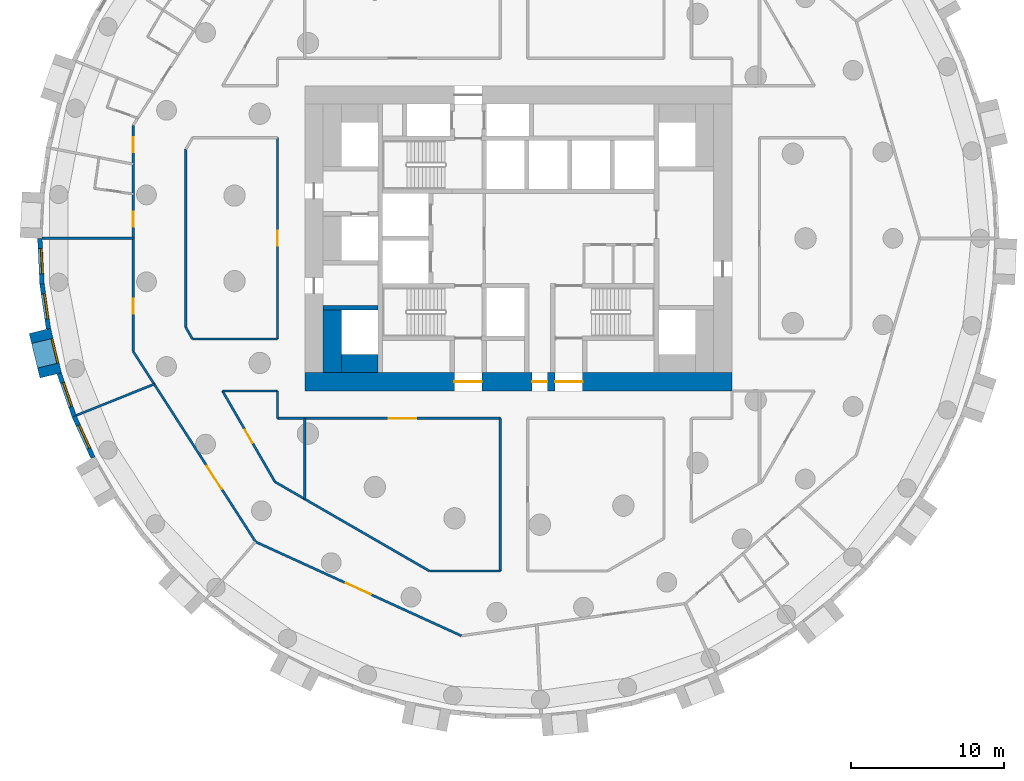
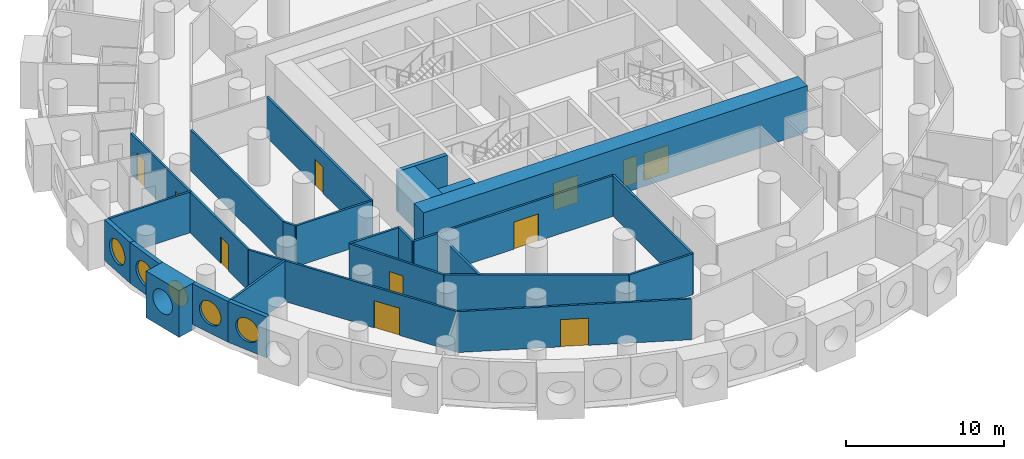
# One storey, part 3 of 11: 26 walls, 11 doors, 5 windows, 16 openings.
"""IFC4 building model written with IfcOpenShell, lengths in metres."""

from ifc_helpers import new_model, si_unit, direction, frame, frame_2d, origin, origin_2d, place, context, subcontext, project, spatial, rectangle, circle, extrude, material, layer, layer_set, type_object, element, fill, save


model = new_model("IFC4")

# Units and contexts
model_context = context("Model", 3, precision=1e-05, world=origin(), true_north=direction((0.0, 1.0)))
body_context = subcontext(model_context, "Body", "Model", "MODEL_VIEW")
ifc_project = project(units=[si_unit("LENGTHUNIT", "METRE"), si_unit("AREAUNIT", "SQUARE_METRE"), si_unit("VOLUMEUNIT", "CUBIC_METRE"), si_unit("PLANEANGLEUNIT", "RADIAN"), si_unit("MASSUNIT", "GRAM", prefix="KILO")], contexts=[model_context])

# Site, building, storey
site_placement = place(None, origin())
site = spatial("IfcSite", under=ifc_project, at=site_placement, CompositionType="ELEMENT")
building_placement = place(site_placement, origin())
building = spatial("IfcBuilding", under=site, at=building_placement, Name="Tracery Tower", CompositionType="ELEMENT")
storey_placement = place(building_placement, frame((0.0, 0.0, 67.800048828125)))
storey = spatial("IfcBuildingStorey", under=building, at=storey_placement, Name="L16", CompositionType="ELEMENT", Elevation=67.800048828125)

# Walls
ifc_material_1 = material(Name="Concrete C60/75", Category="concrete")
ifc_layer_1 = layer(ifc_material_1, 1.199951171875)
ifc_layer_set_1 = layer_set([ifc_layer_1], Name="Core strip wall 1200 C60")
wall_type_1 = type_object("IfcWallType", Name="Core strip wall 1200 C60", PredefinedType="SOLIDWALL", material=ifc_layer_set_1)
wall_1_placement = place(storey_placement, frame((-12.199951171875, -8.800048828125, 0.0), z_axis=(0.0, 0.0, 1.0), x_axis=(0.0, 1.0, 0.0)))
element("IfcWall", 1, at=wall_1_placement, inside=storey, type_object=wall_type_1, Name="L16 wing strip -1 -9.4", PredefinedType="SOLIDWALL", context=body_context, shape_type="SweptSolid", body=[
    extrude(rectangle(XDim=4.10009765625, YDim=1.199951171875, at=frame_2d((2.050048828125, 0.0))), origin(), (0.0, 0.0, 1.0), 3.14990234375),
])
wall_2_placement = place(storey_placement, frame((-11.60009765625, -8.199951171875, 0.0), z_axis=(0.0, 0.0, 1.0), x_axis=(1.0, 0.0, 0.0)))
element("IfcWall", 2, at=wall_2_placement, inside=storey, type_object=wall_type_1, Name="L16 wing corner -1 -8.2", PredefinedType="SOLIDWALL", context=body_context, shape_type="SweptSolid", body=[
    extrude(rectangle(XDim=2.400146484375, YDim=1.199951171875, at=frame_2d((1.2001953125, 0.0))), origin(), (0.0, 0.0, 1.0), 3.14990234375),
])

# Wall, openings, doors
ifc_material_2 = material(Name="Concrete C60/75", Category="concrete")
ifc_layer_2 = layer(ifc_material_2, 1.199951171875)
ifc_layer_set_2 = layer_set([ifc_layer_2], Name="Core wall 1200 C60")
wall_type_2 = type_object("IfcWallType", Name="Core wall 1200 C60", PredefinedType="SOLIDWALL", material=ifc_layer_set_2)
wall_3_placement = place(storey_placement, frame((-14.0, -9.39990234375, 0.0), z_axis=(0.0, 0.0, 1.0), x_axis=(1.0, 0.0, 0.0)))
wall_3 = element("IfcWall", 3, at=wall_3_placement, inside=storey, type_object=wall_type_2, Name="L16 outer S", PredefinedType="SOLIDWALL", context=body_context, shape_type="SweptSolid", body=[
    extrude(rectangle(XDim=28.0, YDim=1.199951171875, at=frame_2d((14.0, 0.0))), origin(), (0.0, 0.0, 1.0), 3.599853515625),
])
opening_1_placement = place(wall_3_placement, frame((14.89990234375, 0.0, 0.0)))
opening_1 = element("IfcOpeningElement", 4, at=opening_1_placement, cuts=wall_3, Name="Opening KD16", PredefinedType="OPENING", context=body_context, shape_type="SweptSolid", body=[
    extrude(rectangle(XDim=1.0, YDim=2.10009765625, at=frame_2d((0.5, 1.050048828125))), frame((0.0, 0.60009765625, 0.0), z_axis=(0.0, -1.0, 0.0), x_axis=(1.0, 0.0, 0.0)), (0.0, 0.0, 1.0), 1.199951171875),
])
opening_2_placement = place(wall_3_placement, frame((9.800048828125, 0.0, 0.0)))
opening_2 = element("IfcOpeningElement", 5, at=opening_2_placement, cuts=wall_3, Name="Opening KD13", PredefinedType="OPENING", context=body_context, shape_type="SweptSolid", body=[
    extrude(rectangle(XDim=1.800048828125, YDim=2.10009765625, at=frame_2d((0.89990234375, 1.050048828125))), frame((0.0, 0.60009765625, 0.0), z_axis=(0.0, -1.0, 0.0), x_axis=(1.0, 0.0, 0.0)), (0.0, 0.0, 1.0), 1.199951171875),
])
opening_3_placement = place(wall_3_placement, frame((16.39990234375, 0.0, 0.0)))
opening_3 = element("IfcOpeningElement", 6, at=opening_3_placement, cuts=wall_3, Name="Opening KD13", PredefinedType="OPENING", context=body_context, shape_type="SweptSolid", body=[
    extrude(rectangle(XDim=1.800048828125, YDim=2.10009765625, at=frame_2d((0.89990234375, 1.050048828125))), frame((0.0, 0.60009765625, 0.0), z_axis=(0.0, -1.0, 0.0), x_axis=(1.0, 0.0, 0.0)), (0.0, 0.0, 1.0), 1.199951171875),
])
ifc_material_3 = material(Name="Steel fire door", Category="steel")
door_type_1 = type_object("IfcDoorType", Name="Core exit door 1000", OperationType="NOTDEFINED", PredefinedType="DOOR", material=ifc_material_3)
door_1_placement = place(opening_1_placement, origin())
door_1 = element("IfcDoor", 7, at=door_1_placement, inside=storey, type_object=door_type_1, Name="Core exit door", OperationType="SINGLE_SWING_LEFT", OverallHeight=2.10009765625, OverallWidth=1.0, PredefinedType="DOOR", context=body_context, shape_type="SweptSolid", body=[
    extrude(rectangle(XDim=1.0, YDim=2.10009765625, at=frame_2d((0.5, 1.050048828125))), frame((0.0, 0.02490234375, 0.0), z_axis=(0.0, -1.0, 0.0), x_axis=(1.0, 0.0, 0.0)), (0.0, 0.0, 1.0), 0.050048828125),
])
fill(opening_1, door_1)
ifc_material_4 = material(Name="Steel fire door", Category="steel")
door_type_2 = type_object("IfcDoorType", Name="Core exit door 1800 double", OperationType="NOTDEFINED", PredefinedType="DOOR", material=ifc_material_4)
door_2_placement = place(opening_2_placement, origin())
door_2 = element("IfcDoor", 8, at=door_2_placement, inside=storey, type_object=door_type_2, Name="Core exit door", OperationType="DOUBLE_DOOR_SINGLE_SWING", OverallHeight=2.10009765625, OverallWidth=1.800048828125, PredefinedType="DOOR", context=body_context, shape_type="SweptSolid", body=[
    extrude(rectangle(XDim=1.800048828125, YDim=2.10009765625, at=frame_2d((0.89990234375, 1.050048828125))), frame((0.0, 0.02490234375, 0.0), z_axis=(0.0, -1.0, 0.0), x_axis=(1.0, 0.0, 0.0)), (0.0, 0.0, 1.0), 0.050048828125),
])
fill(opening_2, door_2)
door_3_placement = place(opening_3_placement, origin())
door_3 = element("IfcDoor", 9, at=door_3_placement, inside=storey, type_object=door_type_2, Name="Core exit door", OperationType="DOUBLE_DOOR_SINGLE_SWING", OverallHeight=2.10009765625, OverallWidth=1.800048828125, PredefinedType="DOOR", context=body_context, shape_type="SweptSolid", body=[
    extrude(rectangle(XDim=1.800048828125, YDim=2.10009765625, at=frame_2d((0.89990234375, 1.050048828125))), frame((0.0, 0.02490234375, 0.0), z_axis=(0.0, -1.0, 0.0), x_axis=(1.0, 0.0, 0.0)), (0.0, 0.0, 1.0), 0.050048828125),
])
fill(opening_3, door_3)

# Wall, opening, window
ifc_material_5 = material(Name="Precast concrete C50/60", Category="concrete")
ifc_layer_3 = layer(ifc_material_5, 1.449951171875)
ifc_layer_set_3 = layer_set([ifc_layer_3], Name="Deep-set bay unit 3000 x 3600, slab edge 450")
wall_type_3 = type_object("IfcWallType", Name="Deep-set bay unit 3000 x 3600, slab edge 450", PredefinedType="ELEMENTEDWALL", material=ifc_layer_set_3)
wall_4_placement = place(storey_placement, frame((-31.367919921875, -6.066162109375, -0.449951171875), z_axis=(0.0, 0.0, 1.0), x_axis=(0.235751415068, -0.971813392732, 0.0)))
wall_4 = element("IfcWall", 10, at=wall_4_placement, inside=storey, type_object=wall_type_3, Name="Deep-set bay unit 36 at L16", PredefinedType="ELEMENTEDWALL", context=body_context, shape_type="SweptSolid", body=[
    extrude(rectangle(XDim=3.0, YDim=1.449951171875, at=frame_2d((1.5, 0.0))), origin(), (0.0, 0.0, 1.0), 3.599853515625),
])
opening_4_placement = place(wall_4_placement, frame((1.5, 0.0, 2.0)))
opening_4 = element("IfcOpeningElement", 11, at=opening_4_placement, cuts=wall_4, Name="Opening WN1", PredefinedType="OPENING", context=body_context, shape_type="SweptSolid", body=[
    extrude(circle(Radius=0.9000244140625, at=origin_2d()), frame((0.0, 0.73486328125, 0.0), z_axis=(0.0, -1.0, 0.0), x_axis=(1.0, 0.0, 0.0)), (0.0, 0.0, 1.0), 1.469970703125),
])
ifc_material_6 = material(Name="Aluminium frame with tinted double glazing", Category="aluminium")
window_type = type_object("IfcWindowType", Name="Round window 1800", PartitioningType="SINGLE_PANEL", PredefinedType="WINDOW", material=ifc_material_6)
window_1_placement = place(opening_4_placement, origin())
window_1 = element("IfcWindow", 12, at=window_1_placement, inside=storey, type_object=window_type, Name="Round window 36 at L16", OverallHeight=1.800048828125, OverallWidth=1.800048828125, PartitioningType="SINGLE_PANEL", PredefinedType="WINDOW", context=body_context, shape_type="SweptSolid", body=[
    extrude(circle(Radius=0.9000244140625, at=origin_2d()), frame((0.0, 0.69482421875, 0.0), z_axis=(0.0, -1.0, 0.0), x_axis=(1.0, 0.0, 0.0)), (0.0, 0.0, 1.0), 0.10009765625),
])
fill(opening_4, window_1)

ifc_material_7 = material(Name="Precast concrete C50/60", Category="concrete")
ifc_layer_4 = layer(ifc_material_7, 0.300048828125)
ifc_layer_set_4 = layer_set([ifc_layer_4], Name="Facade panel 3000 x 3150")
wall_type_4 = type_object("IfcWallType", Name="Facade panel 3000 x 3150", PredefinedType="SOLIDWALL", material=ifc_layer_set_4)
wall_5_placement = place(storey_placement, frame((-31.3740234375, -0.006103515625, 0.0), z_axis=(0.0, 0.0, 1.0), x_axis=(0.047522328113, -0.998870175914, 0.0)))
wall_5 = element("IfcWall", 13, at=wall_5_placement, inside=storey, type_object=wall_type_4, Name="Facade panel 34 at L16", PredefinedType="SOLIDWALL", context=body_context, shape_type="SweptSolid", body=[
    extrude(rectangle(XDim=2.979736328125, YDim=0.300048828125, at=frame_2d((1.48974609375, 0.0))), origin(), (0.0, 0.0, 1.0), 3.14990234375),
])
opening_5_placement = place(wall_5_placement, frame((1.48974609375, 0.0, 1.5498046875)))
opening_5 = element("IfcOpeningElement", 14, at=opening_5_placement, cuts=wall_5, Name="Opening WN1", PredefinedType="OPENING", context=body_context, shape_type="SweptSolid", body=[
    extrude(circle(Radius=0.9000244140625, at=origin_2d()), frame((0.0, 0.159912109375, 0.0), z_axis=(0.0, -1.0, 0.0), x_axis=(1.0, 0.0, 0.0)), (0.0, 0.0, 1.0), 0.320068359375),
])
window_2_placement = place(opening_5_placement, origin())
window_2 = element("IfcWindow", 15, at=window_2_placement, inside=storey, type_object=window_type, Name="Round window 34 at L16", OverallHeight=1.800048828125, OverallWidth=1.800048828125, PartitioningType="SINGLE_PANEL", PredefinedType="WINDOW", context=body_context, shape_type="SweptSolid", body=[
    extrude(circle(Radius=0.9000244140625, at=origin_2d()), frame((0.0, 0.1201171875, 0.0), z_axis=(0.0, -1.0, 0.0), x_axis=(1.0, 0.0, 0.0)), (0.0, 0.0, 1.0), 0.10009765625),
])
fill(opening_5, window_2)

wall_6_placement = place(storey_placement, frame((-31.232421875, -2.982421875, 0.0), z_axis=(0.0, 0.0, 1.0), x_axis=(0.142327539111, -0.989819615693, 0.0)))
wall_6 = element("IfcWall", 16, at=wall_6_placement, inside=storey, type_object=wall_type_4, Name="Facade panel 35 at L16", PredefinedType="SOLIDWALL", context=body_context, shape_type="SweptSolid", body=[
    extrude(rectangle(XDim=2.9794921875, YDim=0.300048828125, at=frame_2d((1.48974609375, 0.0))), origin(), (0.0, 0.0, 1.0), 3.14990234375),
])
opening_6_placement = place(wall_6_placement, frame((1.48974609375, 0.0, 1.5498046875)))
opening_6 = element("IfcOpeningElement", 17, at=opening_6_placement, cuts=wall_6, Name="Opening WN1", PredefinedType="OPENING", context=body_context, shape_type="SweptSolid", body=[
    extrude(circle(Radius=0.9000244140625, at=origin_2d()), frame((0.0, 0.159912109375, 0.0), z_axis=(0.0, -1.0, 0.0), x_axis=(1.0, 0.0, 0.0)), (0.0, 0.0, 1.0), 0.320068359375),
])
window_3_placement = place(opening_6_placement, origin())
window_3 = element("IfcWindow", 18, at=window_3_placement, inside=storey, type_object=window_type, Name="Round window 35 at L16", OverallHeight=1.800048828125, OverallWidth=1.800048828125, PartitioningType="SINGLE_PANEL", PredefinedType="WINDOW", context=body_context, shape_type="SweptSolid", body=[
    extrude(circle(Radius=0.9000244140625, at=origin_2d()), frame((0.0, 0.1201171875, 0.0), z_axis=(0.0, -1.0, 0.0), x_axis=(1.0, 0.0, 0.0)), (0.0, 0.0, 1.0), 0.10009765625),
])
fill(opening_6, window_3)

wall_7_placement = place(storey_placement, frame((-30.1015625, -8.844970703125, 0.0), z_axis=(0.0, 0.0, 1.0), x_axis=(0.327096492592, -0.944990944154, 0.0)))
wall_7 = element("IfcWall", 19, at=wall_7_placement, inside=storey, type_object=wall_type_4, Name="Facade panel 37 at L16", PredefinedType="SOLIDWALL", context=body_context, shape_type="SweptSolid", body=[
    extrude(rectangle(XDim=2.9794921875, YDim=0.300048828125, at=frame_2d((1.48974609375, 0.0))), origin(), (0.0, 0.0, 1.0), 3.14990234375),
])
opening_7_placement = place(wall_7_placement, frame((1.48974609375, 0.0, 1.5498046875)))
opening_7 = element("IfcOpeningElement", 20, at=opening_7_placement, cuts=wall_7, Name="Opening WN1", PredefinedType="OPENING", context=body_context, shape_type="SweptSolid", body=[
    extrude(circle(Radius=0.9000244140625, at=origin_2d()), frame((0.0, 0.159912109375, 0.0), z_axis=(0.0, -1.0, 0.0), x_axis=(1.0, 0.0, 0.0)), (0.0, 0.0, 1.0), 0.320068359375),
])
window_4_placement = place(opening_7_placement, origin())
window_4 = element("IfcWindow", 21, at=window_4_placement, inside=storey, type_object=window_type, Name="Round window 37 at L16", OverallHeight=1.800048828125, OverallWidth=1.800048828125, PartitioningType="SINGLE_PANEL", PredefinedType="WINDOW", context=body_context, shape_type="SweptSolid", body=[
    extrude(circle(Radius=0.9000244140625, at=origin_2d()), frame((0.0, 0.1201171875, 0.0), z_axis=(0.0, -1.0, 0.0), x_axis=(1.0, 0.0, 0.0)), (0.0, 0.0, 1.0), 0.10009765625),
])
fill(opening_7, window_4)

wall_8_placement = place(storey_placement, frame((-29.126953125, -11.66064453125, 0.0), z_axis=(0.0, 0.0, 1.0), x_axis=(0.415407317162, -0.909635509888, 0.0)))
wall_8 = element("IfcWall", 22, at=wall_8_placement, inside=storey, type_object=wall_type_4, Name="Facade panel 38 at L16", PredefinedType="SOLIDWALL", context=body_context, shape_type="SweptSolid", body=[
    extrude(rectangle(XDim=2.979736328125, YDim=0.300048828125, at=frame_2d((1.48974609375, 0.0))), origin(), (0.0, 0.0, 1.0), 3.14990234375),
])
opening_8_placement = place(wall_8_placement, frame((1.48974609375, 0.0, 1.5498046875)))
opening_8 = element("IfcOpeningElement", 23, at=opening_8_placement, cuts=wall_8, Name="Opening WN1", PredefinedType="OPENING", context=body_context, shape_type="SweptSolid", body=[
    extrude(circle(Radius=0.9000244140625, at=origin_2d()), frame((0.0, 0.159912109375, 0.0), z_axis=(0.0, -1.0, 0.0), x_axis=(1.0, 0.0, 0.0)), (0.0, 0.0, 1.0), 0.320068359375),
])
window_5_placement = place(opening_8_placement, origin())
window_5 = element("IfcWindow", 24, at=window_5_placement, inside=storey, type_object=window_type, Name="Round window 38 at L16", OverallHeight=1.800048828125, OverallWidth=1.800048828125, PartitioningType="SINGLE_PANEL", PredefinedType="WINDOW", context=body_context, shape_type="SweptSolid", body=[
    extrude(circle(Radius=0.9000244140625, at=origin_2d()), frame((0.0, 0.1201171875, 0.0), z_axis=(0.0, -1.0, 0.0), x_axis=(1.0, 0.0, 0.0)), (0.0, 0.0, 1.0), 0.10009765625),
])
fill(opening_8, window_5)

# Walls
ifc_material_8 = material(Name="Plasterboard on steel studs", Category="steel")
ifc_layer_5 = layer(ifc_material_8, 0.14990234375)
ifc_layer_set_5 = layer_set([ifc_layer_5], Name="Partition 150 acoustic unit wall")
wall_type_5 = type_object("IfcWallType", Name="Partition 150 acoustic unit wall", PredefinedType="PARTITIONING", material=ifc_layer_set_5)
wall_9_placement = place(storey_placement, frame((-14.0, -17.092041015625, 0.0), z_axis=(0.0, 0.0, 1.0), x_axis=(0.0, 1.0, 0.0)))
element("IfcWall", 25, at=wall_9_placement, inside=storey, type_object=wall_type_5, Name="Unit wall RA4-063", PredefinedType="PARTITIONING", context=body_context, shape_type="SweptSolid", body=[
    extrude(rectangle(XDim=5.2919921875, YDim=0.14990234375, at=frame_2d((2.64599609375, 0.0))), origin(), (0.0, 0.0, 1.0), 3.14990234375),
])
wall_10_placement = place(storey_placement, frame((-31.22412109375, 0.0, 0.0), z_axis=(0.0, 0.0, 1.0), x_axis=(1.0, 0.0, 0.0)))
element("IfcWall", 26, at=wall_10_placement, inside=storey, type_object=wall_type_5, Name="Unit wall RA4-082", PredefinedType="PARTITIONING", context=body_context, shape_type="SweptSolid", body=[
    extrude(rectangle(XDim=5.97119140625, YDim=0.14990234375, at=frame_2d((2.985595703125, 0.0))), origin(), (0.0, 0.0, 1.0), 3.14990234375),
])
wall_11_placement = place(storey_placement, frame((-28.988037109375, -11.60498046875, 0.0), z_axis=(0.0, 0.0, 1.0), x_axis=(0.928372711727, 0.371650518795, 0.0)))
element("IfcWall", 27, at=wall_11_placement, inside=storey, type_object=wall_type_5, Name="Unit wall RA4-083", PredefinedType="PARTITIONING", context=body_context, shape_type="SweptSolid", body=[
    extrude(rectangle(XDim=5.507568359375, YDim=0.14990234375, at=frame_2d((2.75390625, 0.0))), origin(), (0.0, 0.0, 1.0), 3.14990234375),
])

# Wall, opening, door
ifc_material_9 = material(Name="Plasterboard on steel studs", Category="steel")
ifc_layer_6 = layer(ifc_material_9, 0.14990234375)
ifc_layer_set_6 = layer_set([ifc_layer_6], Name="Partition 150 corridor wall")
wall_type_6 = type_object("IfcWallType", Name="Partition 150 corridor wall", PredefinedType="PARTITIONING", material=ifc_layer_set_6)
wall_12_placement = place(storey_placement, frame((-15.800048828125, -11.800048828125, 0.0), z_axis=(0.0, 0.0, 1.0), x_axis=(1.0, 0.0, 0.0)))
wall_12 = element("IfcWall", 28, at=wall_12_placement, inside=storey, type_object=wall_type_6, Name="Corridor wall RA4-006", PredefinedType="PARTITIONING", context=body_context, shape_type="SweptSolid", body=[
    extrude(rectangle(XDim=14.612060546875, YDim=0.14990234375, at=frame_2d((7.30615234375, 0.0))), origin(), (0.0, 0.0, 1.0), 3.14990234375),
])
opening_9_placement = place(wall_12_placement, frame((7.303955078125, 0.0, 0.0)))
opening_9 = element("IfcOpeningElement", 29, at=opening_9_placement, cuts=wall_12, Name="Opening RA4-04", PredefinedType="OPENING", context=body_context, shape_type="SweptSolid", body=[
    extrude(rectangle(XDim=1.800048828125, YDim=2.10009765625, at=frame_2d((0.89990234375, 1.050048828125))), frame((0.0, 0.074951171875, 0.0), z_axis=(0.0, -1.0, 0.0), x_axis=(1.0, 0.0, 0.0)), (0.0, 0.0, 1.0), 0.14990234375),
])
ifc_material_10 = material(Name="Timber door leaf", Category="wood")
door_type_3 = type_object("IfcDoorType", Name="Door double lounge 1800", OperationType="NOTDEFINED", PredefinedType="DOOR", material=ifc_material_10)
door_4_placement = place(opening_9_placement, origin())
door_4 = element("IfcDoor", 30, at=door_4_placement, inside=storey, type_object=door_type_3, Name="Double lounge door RA4-04", OperationType="DOUBLE_DOOR_SINGLE_SWING", OverallHeight=2.10009765625, OverallWidth=1.800048828125, PredefinedType="DOOR", context=body_context, shape_type="SweptSolid", body=[
    extrude(rectangle(XDim=1.800048828125, YDim=2.10009765625, at=frame_2d((0.89990234375, 1.050048828125))), frame((0.0, 0.02490234375, 0.0), z_axis=(0.0, -1.0, 0.0), x_axis=(1.0, 0.0, 0.0)), (0.0, 0.0, 1.0), 0.050048828125),
])
fill(opening_9, door_4)

# Wall
wall_13_placement = place(storey_placement, frame((-15.800048828125, -11.800048828125, 0.0), z_axis=(0.0, 0.0, 1.0), x_axis=(0.0, 1.0, 0.0)))
element("IfcWall", 31, at=wall_13_placement, inside=storey, type_object=wall_type_6, Name="Corridor wall RA4-010", PredefinedType="PARTITIONING", context=body_context, shape_type="SweptSolid", body=[
    extrude(rectangle(XDim=1.800048828125, YDim=0.14990234375, at=frame_2d((0.89990234375, 0.0))), origin(), (0.0, 0.0, 1.0), 3.14990234375),
])

# Wall, opening, door
wall_14_placement = place(storey_placement, frame((-15.800048828125, -6.60400390625, 0.0), z_axis=(0.0, 0.0, 1.0), x_axis=(0.0, 1.0, 0.0)))
wall_14 = element("IfcWall", 32, at=wall_14_placement, inside=storey, type_object=wall_type_6, Name="Corridor wall RA4-014", PredefinedType="PARTITIONING", context=body_context, shape_type="SweptSolid", body=[
    extrude(rectangle(XDim=13.2080078125, YDim=0.14990234375, at=frame_2d((6.60400390625, 0.0))), origin(), (0.0, 0.0, 1.0), 3.14990234375),
])
opening_10_placement = place(wall_14_placement, frame((6.10400390625, 0.0, 0.0)))
opening_10 = element("IfcOpeningElement", 33, at=opening_10_placement, cuts=wall_14, Name="Opening RA4-08", PredefinedType="OPENING", context=body_context, shape_type="SweptSolid", body=[
    extrude(rectangle(XDim=1.0, YDim=2.0400390625, at=frame_2d((0.5, 1.02001953125))), frame((0.0, 0.074951171875, 0.0), z_axis=(0.0, -1.0, 0.0), x_axis=(1.0, 0.0, 0.0)), (0.0, 0.0, 1.0), 0.14990234375),
])
ifc_material_11 = material(Name="Timber door leaf", Category="wood")
door_type_4 = type_object("IfcDoorType", Name="Door communal room 1000", OperationType="NOTDEFINED", PredefinedType="DOOR", material=ifc_material_11)
door_5_placement = place(opening_10_placement, origin())
door_5 = element("IfcDoor", 34, at=door_5_placement, inside=storey, type_object=door_type_4, Name="Communal room door RA4-08", OperationType="SINGLE_SWING_RIGHT", OverallHeight=2.0400390625, OverallWidth=1.0, PredefinedType="DOOR", context=body_context, shape_type="SweptSolid", body=[
    extrude(rectangle(XDim=1.0, YDim=2.0400390625, at=frame_2d((0.5, 1.02001953125))), frame((0.0, 0.02490234375, 0.0), z_axis=(0.0, -1.0, 0.0), x_axis=(1.0, 0.0, 0.0)), (0.0, 0.0, 1.0), 0.050048828125),
])
fill(opening_10, door_5)

# Walls
wall_15_placement = place(storey_placement, frame((-21.802001953125, -5.842041015625, 0.0), z_axis=(0.0, 0.0, 1.0), x_axis=(0.0, 1.0, 0.0)))
element("IfcWall", 35, at=wall_15_placement, inside=storey, type_object=wall_type_6, Name="Corridor wall RA4-040", PredefinedType="PARTITIONING", context=body_context, shape_type="SweptSolid", body=[
    extrude(rectangle(XDim=11.68408203125, YDim=0.14990234375, at=frame_2d((5.842041015625, 0.0))), origin(), (0.0, 0.0, 1.0), 3.14990234375),
])
wall_16_placement = place(storey_placement, frame((-21.802001953125, -5.842041015625, 0.0), z_axis=(0.0, 0.0, 1.0), x_axis=(0.500277597875, -0.865865073245, 0.0)))
element("IfcWall", 36, at=wall_16_placement, inside=storey, type_object=wall_type_6, Name="Corridor wall RA4-041", PredefinedType="PARTITIONING", context=body_context, shape_type="SweptSolid", body=[
    extrude(rectangle(XDim=0.87548828125, YDim=0.14990234375, at=frame_2d((0.437744140625, 0.0))), origin(), (0.0, 0.0, 1.0), 3.14990234375),
])
wall_17_placement = place(storey_placement, frame((-21.364013671875, -6.60009765625, 0.0), z_axis=(0.0, 0.0, 1.0), x_axis=(1.0, 0.0, 0.0)))
element("IfcWall", 37, at=wall_17_placement, inside=storey, type_object=wall_type_6, Name="Corridor wall RA4-042", PredefinedType="PARTITIONING", context=body_context, shape_type="SweptSolid", body=[
    extrude(rectangle(XDim=5.56396484375, YDim=0.14990234375, at=frame_2d((2.781982421875, 0.0))), origin(), (0.0, 0.0, 1.0), 3.14990234375),
])
wall_18_placement = place(storey_placement, frame((-19.40087890625, -10.0, 0.0), z_axis=(0.0, 0.0, 1.0), x_axis=(1.0, 0.0, 0.0)))
element("IfcWall", 38, at=wall_18_placement, inside=storey, type_object=wall_type_6, Name="Corridor wall RA4-045", PredefinedType="PARTITIONING", context=body_context, shape_type="SweptSolid", body=[
    extrude(rectangle(XDim=3.600830078125, YDim=0.14990234375, at=frame_2d((1.80029296875, 0.0))), origin(), (0.0, 0.0, 1.0), 3.14990234375),
])

# Wall, opening, door
wall_19_placement = place(storey_placement, frame((-19.40087890625, -10.0, 0.0), z_axis=(0.0, 0.0, 1.0), x_axis=(0.499992689227, -0.86602962462, 0.0)))
wall_19 = element("IfcWall", 39, at=wall_19_placement, inside=storey, type_object=wall_type_6, Name="Corridor wall RA4-046", PredefinedType="PARTITIONING", context=body_context, shape_type="SweptSolid", body=[
    extrude(rectangle(XDim=6.8818359375, YDim=0.14990234375, at=frame_2d((3.44091796875, 0.0))), origin(), (0.0, 0.0, 1.0), 3.14990234375),
])
opening_11_placement = place(wall_19_placement, frame((2.94091796875, 0.0, 0.0)))
opening_11 = element("IfcOpeningElement", 40, at=opening_11_placement, cuts=wall_19, Name="Opening RA4-12", PredefinedType="OPENING", context=body_context, shape_type="SweptSolid", body=[
    extrude(rectangle(XDim=1.0, YDim=2.0400390625, at=frame_2d((0.5, 1.02001953125))), frame((0.0, 0.074951171875, 0.0), z_axis=(0.0, -1.0, 0.0), x_axis=(1.0, 0.0, 0.0)), (0.0, 0.0, 1.0), 0.14990234375),
])
door_6_placement = place(opening_11_placement, origin())
door_6 = element("IfcDoor", 41, at=door_6_placement, inside=storey, type_object=door_type_4, Name="Communal room door RA4-12", OperationType="SINGLE_SWING_LEFT", OverallHeight=2.0400390625, OverallWidth=1.0, PredefinedType="DOOR", context=body_context, shape_type="SweptSolid", body=[
    extrude(rectangle(XDim=1.0, YDim=2.0400390625, at=frame_2d((0.5, 1.02001953125))), frame((0.0, 0.02490234375, 0.0), z_axis=(0.0, -1.0, 0.0), x_axis=(1.0, 0.0, 0.0)), (0.0, 0.0, 1.0), 0.050048828125),
])
fill(opening_11, door_6)

# Wall, openings, doors
wall_20_placement = place(storey_placement, frame((-25.2529296875, -7.4150390625, 0.0), z_axis=(0.0, 0.0, 1.0), x_axis=(0.0, 1.0, 0.0)))
wall_20 = element("IfcWall", 42, at=wall_20_placement, inside=storey, type_object=wall_type_6, Name="Corridor wall RA4-047", PredefinedType="PARTITIONING", context=body_context, shape_type="SweptSolid", body=[
    extrude(rectangle(XDim=14.830078125, YDim=0.14990234375, at=frame_2d((7.4150390625, 0.0))), origin(), (0.0, 0.0, 1.0), 3.14990234375),
])
opening_12_placement = place(wall_20_placement, frame((13.053955078125, 0.0, 0.0)))
opening_12 = element("IfcOpeningElement", 43, at=opening_12_placement, cuts=wall_20, Name="Opening RA4-23", PredefinedType="OPENING", context=body_context, shape_type="SweptSolid", body=[
    extrude(rectangle(XDim=1.0, YDim=2.10009765625, at=frame_2d((0.5, 1.050048828125))), frame((0.0, 0.074951171875, 0.0), z_axis=(0.0, -1.0, 0.0), x_axis=(1.0, 0.0, 0.0)), (0.0, 0.0, 1.0), 0.14990234375),
])
opening_13_placement = place(wall_20_placement, frame((8.1689453125, 0.0, 0.0)))
opening_13 = element("IfcOpeningElement", 44, at=opening_13_placement, cuts=wall_20, Name="Opening RA4-25", PredefinedType="OPENING", context=body_context, shape_type="SweptSolid", body=[
    extrude(rectangle(XDim=1.0, YDim=2.10009765625, at=frame_2d((0.5, 1.050048828125))), frame((0.0, 0.074951171875, 0.0), z_axis=(0.0, -1.0, 0.0), x_axis=(1.0, 0.0, 0.0)), (0.0, 0.0, 1.0), 0.14990234375),
])
opening_14_placement = place(wall_20_placement, frame((2.458984375, 0.0, 0.0)))
opening_14 = element("IfcOpeningElement", 45, at=opening_14_placement, cuts=wall_20, Name="Opening RA4-26", PredefinedType="OPENING", context=body_context, shape_type="SweptSolid", body=[
    extrude(rectangle(XDim=1.0, YDim=2.0400390625, at=frame_2d((0.5, 1.02001953125))), frame((0.0, 0.074951171875, 0.0), z_axis=(0.0, -1.0, 0.0), x_axis=(1.0, 0.0, 0.0)), (0.0, 0.0, 1.0), 0.14990234375),
])
door_7_placement = place(opening_14_placement, origin())
door_7 = element("IfcDoor", 46, at=door_7_placement, inside=storey, type_object=door_type_4, Name="Communal room door RA4-26", OperationType="SINGLE_SWING_LEFT", OverallHeight=2.0400390625, OverallWidth=1.0, PredefinedType="DOOR", context=body_context, shape_type="SweptSolid", body=[
    extrude(rectangle(XDim=1.0, YDim=2.0400390625, at=frame_2d((0.5, 1.02001953125))), frame((0.0, 0.02490234375, 0.0), z_axis=(0.0, -1.0, 0.0), x_axis=(1.0, 0.0, 0.0)), (0.0, 0.0, 1.0), 0.050048828125),
])
fill(opening_14, door_7)
ifc_material_12 = material(Name="Timber door leaf", Category="wood")
door_type_5 = type_object("IfcDoorType", Name="Door unit entrance 1000", OperationType="NOTDEFINED", PredefinedType="DOOR", material=ifc_material_12)
door_8_placement = place(opening_12_placement, origin())
door_8 = element("IfcDoor", 47, at=door_8_placement, inside=storey, type_object=door_type_5, Name="Unit entrance door RA4-23", OperationType="SINGLE_SWING_RIGHT", OverallHeight=2.10009765625, OverallWidth=1.0, PredefinedType="DOOR", context=body_context, shape_type="SweptSolid", body=[
    extrude(rectangle(XDim=1.0, YDim=2.10009765625, at=frame_2d((0.5, 1.050048828125))), frame((0.0, 0.02490234375, 0.0), z_axis=(0.0, -1.0, 0.0), x_axis=(1.0, 0.0, 0.0)), (0.0, 0.0, 1.0), 0.050048828125),
])
fill(opening_12, door_8)
door_9_placement = place(opening_13_placement, origin())
door_9 = element("IfcDoor", 48, at=door_9_placement, inside=storey, type_object=door_type_5, Name="Unit entrance door RA4-25", OperationType="SINGLE_SWING_LEFT", OverallHeight=2.10009765625, OverallWidth=1.0, PredefinedType="DOOR", context=body_context, shape_type="SweptSolid", body=[
    extrude(rectangle(XDim=1.0, YDim=2.10009765625, at=frame_2d((0.5, 1.050048828125))), frame((0.0, 0.02490234375, 0.0), z_axis=(0.0, -1.0, 0.0), x_axis=(1.0, 0.0, 0.0)), (0.0, 0.0, 1.0), 0.050048828125),
])
fill(opening_13, door_9)

# Wall, opening, door
wall_21_placement = place(storey_placement, frame((-25.2529296875, -7.4150390625, 0.0), z_axis=(0.0, 0.0, 1.0), x_axis=(0.540867421004, -0.841107860442, 0.0)))
wall_21 = element("IfcWall", 49, at=wall_21_placement, inside=storey, type_object=wall_type_6, Name="Corridor wall RA4-048", PredefinedType="PARTITIONING", context=body_context, shape_type="SweptSolid", body=[
    extrude(rectangle(XDim=14.829345703125, YDim=0.14990234375, at=frame_2d((7.41455078125, 0.0))), origin(), (0.0, 0.0, 1.0), 3.14990234375),
])
opening_15_placement = place(wall_21_placement, frame((8.92626953125, 0.0, 0.0)))
opening_15 = element("IfcOpeningElement", 50, at=opening_15_placement, cuts=wall_21, Name="Opening RA4-27", PredefinedType="OPENING", context=body_context, shape_type="SweptSolid", body=[
    extrude(rectangle(XDim=1.800048828125, YDim=2.10009765625, at=frame_2d((0.89990234375, 1.050048828125))), frame((0.0, 0.074951171875, 0.0), z_axis=(0.0, -1.0, 0.0), x_axis=(1.0, 0.0, 0.0)), (0.0, 0.0, 1.0), 0.14990234375),
])
door_10_placement = place(opening_15_placement, origin())
door_10 = element("IfcDoor", 51, at=door_10_placement, inside=storey, type_object=door_type_3, Name="Double lounge door RA4-27", OperationType="DOUBLE_DOOR_SINGLE_SWING", OverallHeight=2.10009765625, OverallWidth=1.800048828125, PredefinedType="DOOR", context=body_context, shape_type="SweptSolid", body=[
    extrude(rectangle(XDim=1.800048828125, YDim=2.10009765625, at=frame_2d((0.89990234375, 1.050048828125))), frame((0.0, 0.02490234375, 0.0), z_axis=(0.0, -1.0, 0.0), x_axis=(1.0, 0.0, 0.0)), (0.0, 0.0, 1.0), 0.050048828125),
])
fill(opening_15, door_10)

# Walls
wall_22_placement = place(storey_placement, frame((-15.960205078125, -15.960205078125, 0.0), z_axis=(0.0, 0.0, 1.0), x_axis=(0.866022730501, -0.500004630234, 0.0)))
element("IfcWall", 52, at=wall_22_placement, inside=storey, type_object=wall_type_6, Name="Corridor wall RA4-049", PredefinedType="PARTITIONING", context=body_context, shape_type="SweptSolid", body=[
    extrude(rectangle(XDim=11.68359375, YDim=0.14990234375, at=frame_2d((5.841796875, 0.0))), origin(), (0.0, 0.0, 1.0), 3.14990234375),
])
wall_23_placement = place(storey_placement, frame((-5.842041015625, -21.802001953125, 0.0), z_axis=(0.0, 0.0, 1.0), x_axis=(1.0, 0.0, 0.0)))
element("IfcWall", 53, at=wall_23_placement, inside=storey, type_object=wall_type_6, Name="Corridor wall RA4-050", PredefinedType="PARTITIONING", context=body_context, shape_type="SweptSolid", body=[
    extrude(rectangle(XDim=4.650146484375, YDim=0.14990234375, at=frame_2d((2.3251953125, 0.0))), origin(), (0.0, 0.0, 1.0), 3.14990234375),
])
wall_24_placement = place(storey_placement, frame((-1.19189453125, -21.802001953125, 0.0), z_axis=(0.0, 0.0, 1.0), x_axis=(0.0, 1.0, 0.0)))
element("IfcWall", 54, at=wall_24_placement, inside=storey, type_object=wall_type_6, Name="Corridor wall RA4-051", PredefinedType="PARTITIONING", context=body_context, shape_type="SweptSolid", body=[
    extrude(rectangle(XDim=10.001953125, YDim=0.14990234375, at=frame_2d((5.0009765625, 0.0))), origin(), (0.0, 0.0, 1.0), 3.14990234375),
])

# Wall, opening, door
wall_25_placement = place(storey_placement, frame((-17.235107421875, -19.889892578125, 0.0), z_axis=(0.0, 0.0, 1.0), x_axis=(0.90960889055, -0.415465601743, 0.0)))
wall_25 = element("IfcWall", 55, at=wall_25_placement, inside=storey, type_object=wall_type_6, Name="Corridor wall RA4-059", PredefinedType="PARTITIONING", context=body_context, shape_type="SweptSolid", body=[
    extrude(rectangle(XDim=14.829345703125, YDim=0.14990234375, at=frame_2d((7.41455078125, 0.0))), origin(), (0.0, 0.0, 1.0), 3.14990234375),
])
opening_16_placement = place(wall_25_placement, frame((6.514404296875, 0.0, 0.0)))
opening_16 = element("IfcOpeningElement", 56, at=opening_16_placement, cuts=wall_25, Name="Opening RA4-28", PredefinedType="OPENING", context=body_context, shape_type="SweptSolid", body=[
    extrude(rectangle(XDim=1.800048828125, YDim=2.10009765625, at=frame_2d((0.89990234375, 1.050048828125))), frame((0.0, 0.074951171875, 0.0), z_axis=(0.0, -1.0, 0.0), x_axis=(1.0, 0.0, 0.0)), (0.0, 0.0, 1.0), 0.14990234375),
])
door_11_placement = place(opening_16_placement, origin())
door_11 = element("IfcDoor", 57, at=door_11_placement, inside=storey, type_object=door_type_3, Name="Double lounge door RA4-28", OperationType="DOUBLE_DOOR_SINGLE_SWING", OverallHeight=2.10009765625, OverallWidth=1.800048828125, PredefinedType="DOOR", context=body_context, shape_type="SweptSolid", body=[
    extrude(rectangle(XDim=1.800048828125, YDim=2.10009765625, at=frame_2d((0.89990234375, 1.050048828125))), frame((0.0, 0.02490234375, 0.0), z_axis=(0.0, -1.0, 0.0), x_axis=(1.0, 0.0, 0.0)), (0.0, 0.0, 1.0), 0.050048828125),
])
fill(opening_16, door_11)

# Wall
ifc_material_13 = material(Name="Concrete C60/75", Category="concrete")
ifc_layer_7 = layer(ifc_material_13, 0.300048828125)
ifc_layer_set_7 = layer_set([ifc_layer_7], Name="Shaft wall 300 C60")
wall_type_7 = type_object("IfcWallType", Name="Shaft wall 300 C60", PredefinedType="SOLIDWALL", material=ifc_layer_set_7)
wall_26_placement = place(storey_placement, frame((-12.800048828125, -4.550048828125, 0.0), z_axis=(0.0, 0.0, 1.0), x_axis=(1.0, 0.0, 0.0)))
element("IfcWall", 58, at=wall_26_placement, inside=storey, type_object=wall_type_7, Name="L16 wing shaft wall -1 -4.55", PredefinedType="SOLIDWALL", context=body_context, shape_type="SweptSolid", body=[
    extrude(rectangle(XDim=3.60009765625, YDim=0.300048828125, at=frame_2d((1.800048828125, 0.0))), origin(), (0.0, 0.0, 1.0), 3.14990234375),
])

save(model, "model.ifc")
